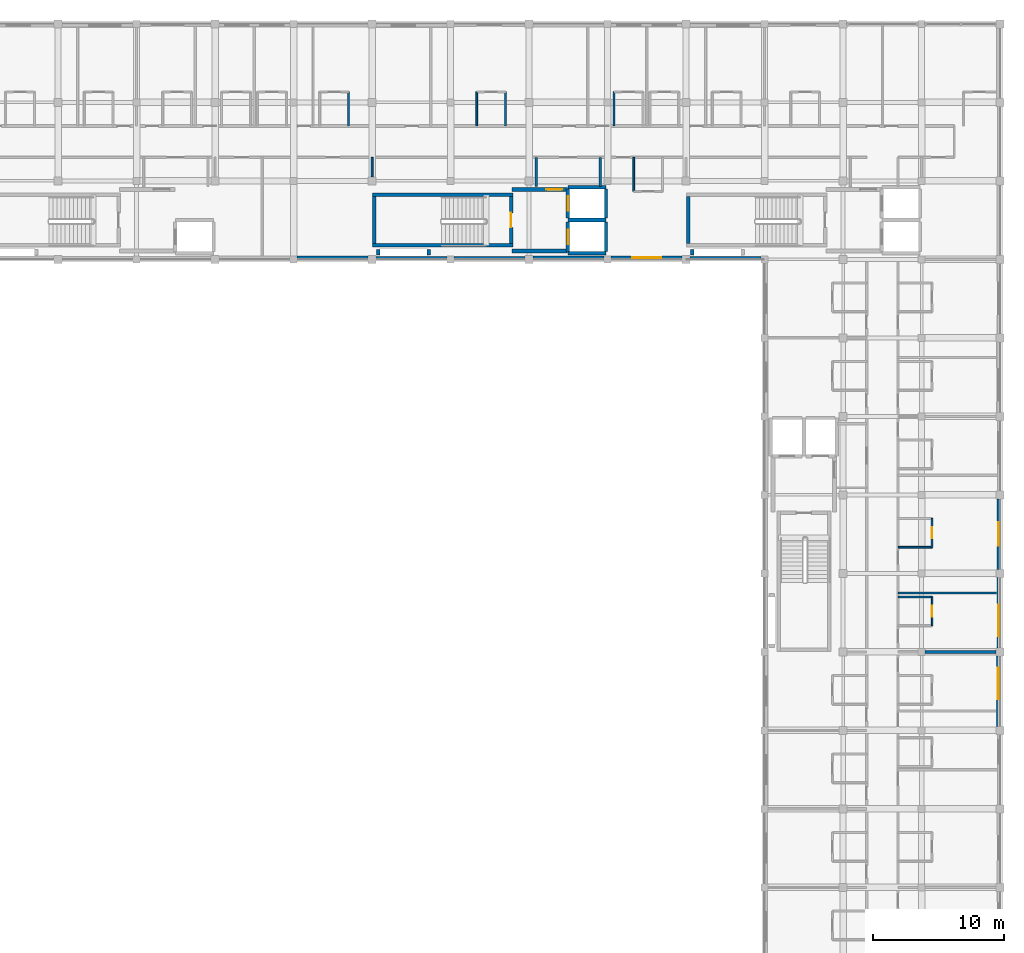
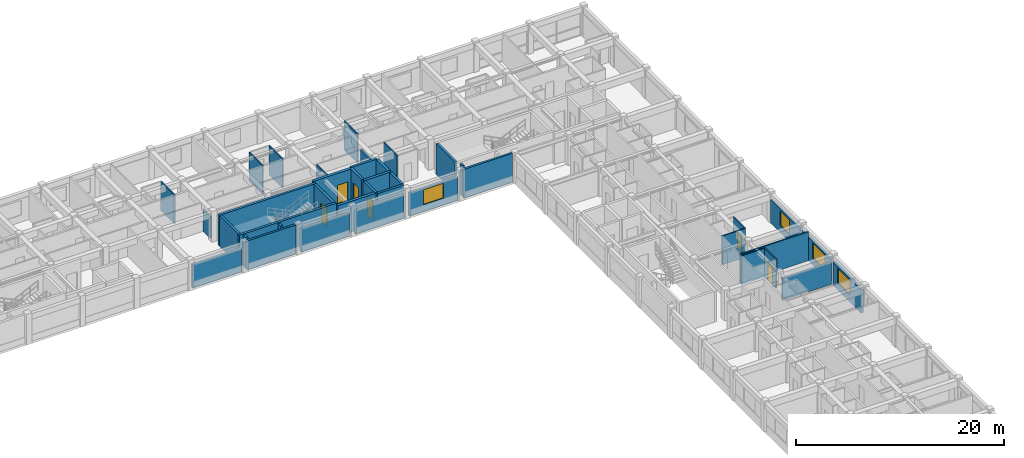
# One storey, part 15 of 25: 40 walls, 6 doors, 4 windows, 10 openings.
"""IFC4 building model written with IfcOpenShell, lengths in metres."""

from ifc_helpers import new_model, si_unit, direction, frame, frame_2d, origin, place, context, subcontext, project, spatial, rectangle, extrude, material, layer, layer_set, type_object, element, fill, save


model = new_model("IFC4")

# Units and contexts
model_context = context("Model", 3, precision=1e-05, world=origin(), true_north=direction((0.0, 1.0)))
body_context = subcontext(model_context, "Body", "Model", "MODEL_VIEW")
ifc_project = project(units=[si_unit("LENGTHUNIT", "METRE"), si_unit("AREAUNIT", "SQUARE_METRE"), si_unit("VOLUMEUNIT", "CUBIC_METRE"), si_unit("PLANEANGLEUNIT", "RADIAN"), si_unit("MASSUNIT", "GRAM", prefix="KILO"), si_unit("THERMODYNAMICTEMPERATUREUNIT", "KELVIN"), si_unit("POWERUNIT", "WATT")], contexts=[model_context])

# Site, building, storey
site_placement = place(None, origin())
site = spatial("IfcSite", under=ifc_project, at=site_placement, CompositionType="ELEMENT")
building_placement = place(site_placement, origin())
building = spatial("IfcBuilding", under=site, at=building_placement, Name="Phaisarnlok Congress Hotel", CompositionType="ELEMENT")
storey_placement = place(building_placement, frame((0.0, 0.0, 24.60009765625)))
storey = spatial("IfcBuildingStorey", under=building, at=storey_placement, Name="L05", CompositionType="ELEMENT", Elevation=24.60009765625)

# Wall
ifc_material_1 = material(Name="Concrete C40/50", Category="concrete")
ifc_layer_1 = layer(ifc_material_1, 0.2099609375, Name="Concrete C40/50")
ifc_layer_set_1 = layer_set([ifc_layer_1], Name="Concrete C40/50")
wall_type_1 = type_object("IfcWallType", Name="WL-EXT-210", PredefinedType="SOLIDWALL", material=ifc_layer_set_1)
wall_1_placement = place(storey_placement, frame((138.280029296875, 108.10498046875, 0.0), z_axis=(0.0, 0.0, 1.0), x_axis=(1.0, 0.0, 0.0)))
element("IfcWall", 1, at=wall_1_placement, inside=storey, type_object=wall_type_1, Name="Exterior wall EW-07 (L05)", PredefinedType="SOLIDWALL", context=body_context, shape_type="SweptSolid", body=[
    extrude(rectangle(XDim=5.4150390625, YDim=0.2099609375, at=frame_2d((2.70751953125, 0.0))), origin(), (0.0, 0.0, 1.0), 2.72998046875),
])

# Wall, opening, window
ifc_layer_2 = layer(ifc_material_1, 0.22998046875, Name="Concrete C40/50")
ifc_layer_set_2 = layer_set([ifc_layer_2], Name="Concrete C40/50")
wall_type_2 = type_object("IfcWallType", Name="WL-EXT-230", PredefinedType="SOLIDWALL", material=ifc_layer_set_2)
wall_2_placement = place(storey_placement, frame((179.885009765625, 84.304931640625, 0.0), z_axis=(0.0, 0.0, 1.0), x_axis=(0.0, 1.0, 0.0)))
wall_2 = element("IfcWall", 2, at=wall_2_placement, inside=storey, type_object=wall_type_2, Name="Exterior wall EW-06 (L05)", PredefinedType="SOLIDWALL", context=body_context, shape_type="SweptSolid", body=[
    extrude(rectangle(XDim=5.39013671875, YDim=0.22998046875, at=frame_2d((2.695068359375, 0.0))), origin(), (0.0, 0.0, 1.0), 2.72998046875),
])
opening_1_placement = place(wall_2_placement, frame((1.794921875, 0.0, 0.800048828125)))
opening_1 = element("IfcOpeningElement", 3, at=opening_1_placement, cuts=wall_2, Name="Opening W-10", PredefinedType="OPENING", context=body_context, shape_type="SweptSolid", body=[
    extrude(rectangle(XDim=1.800048828125, YDim=1.699951171875, at=frame_2d((0.89990234375, 0.85009765625))), frame((0.0, 0.125, 0.0), z_axis=(0.0, -1.0, 0.0), x_axis=(1.0, 0.0, 0.0)), (0.0, 0.0, 1.0), 0.25),
])
ifc_material_2 = material(Name="Thermally Broken Aluminium & Low-E Double Glazing", Category="aluminium")
window_type_1 = type_object("IfcWindowType", Name="WIN-POD-1800", PartitioningType="SINGLE_PANEL", PredefinedType="WINDOW", material=ifc_material_2)
window_1_placement = place(opening_1_placement, origin())
window_1 = element("IfcWindow", 4, at=window_1_placement, inside=storey, type_object=window_type_1, Name="Guestroom window W-10 (L05)", OverallHeight=1.699951171875, OverallWidth=1.800048828125, PartitioningType="SINGLE_PANEL", PredefinedType="WINDOW", context=body_context, shape_type="SweptSolid", body=[
    extrude(rectangle(XDim=1.800048828125, YDim=1.699951171875, at=frame_2d((0.89990234375, 0.85009765625))), frame((0.0, 0.030029296875, 0.0), z_axis=(0.0, -1.0, 0.0), x_axis=(1.0, 0.0, 0.0)), (0.0, 0.0, 1.0), 0.06005859375),
])
fill(opening_1, window_1)

# Walls
for number, where, z_axis, x_axis, name in (
    (5, (132.304931640625, 108.114990234375, 0.0), (0.0, 0.0, 1.0), (1.0, 0.0, 0.0), "Exterior wall EW-06 (L05)"),
    (6, (156.304931640625, 108.114990234375, 0.0), (0.0, 0.0, 1.0), (1.0, 0.0, 0.0), "Exterior wall EW-06 (L05)"),
):
    element("IfcWall", number, at=place(storey_placement, frame(where, z_axis=z_axis, x_axis=x_axis)), inside=storey, type_object=wall_type_2, Name=name, PredefinedType="SOLIDWALL", context=body_context, shape_type="SweptSolid", body=[
        extrude(rectangle(XDim=5.4150390625, YDim=0.22998046875, at=frame_2d((2.70751953125, 0.0))), origin(), (0.0, 0.0, 1.0), 3.3798828125),
    ])

# Wall, opening, window
ifc_layer_3 = layer(ifc_material_1, 0.25, Name="Concrete C40/50")
ifc_layer_set_3 = layer_set([ifc_layer_3], Name="Concrete C40/50")
wall_type_3 = type_object("IfcWallType", Name="WL-EXT-250", PredefinedType="SOLIDWALL", material=ifc_layer_set_3)
wall_3_placement = place(storey_placement, frame((179.875, 78.304931640625, 0.0), z_axis=(0.0, 0.0, 1.0), x_axis=(0.0, 1.0, 0.0)))
wall_3 = element("IfcWall", 7, at=wall_3_placement, inside=storey, type_object=wall_type_3, Name="Exterior wall EW-05 (L05)", PredefinedType="SOLIDWALL", context=body_context, shape_type="SweptSolid", body=[
    extrude(rectangle(XDim=5.39013671875, YDim=0.25, at=frame_2d((2.695068359375, 0.0))), origin(), (0.0, 0.0, 1.0), 2.72998046875),
])
opening_2_placement = place(wall_3_placement, frame((0.906982421875, 0.0, 0.800048828125)))
opening_2 = element("IfcOpeningElement", 8, at=opening_2_placement, cuts=wall_3, Name="Opening W-01", PredefinedType="OPENING", context=body_context, shape_type="SweptSolid", body=[
    extrude(rectangle(XDim=2.39990234375, YDim=1.75, at=frame_2d((1.199951171875, 0.875))), frame((0.0, 0.135009765625, 0.0), z_axis=(0.0, -1.0, 0.0), x_axis=(1.0, 0.0, 0.0)), (0.0, 0.0, 1.0), 0.27001953125),
])
window_type_2 = type_object("IfcWindowType", Name="WIN-HOTEL-2400", PartitioningType="SINGLE_PANEL", PredefinedType="WINDOW", material=ifc_material_2)
window_2_placement = place(opening_2_placement, origin())
window_2 = element("IfcWindow", 9, at=window_2_placement, inside=storey, type_object=window_type_2, Name="Guestroom window W-01 (L05)", OverallHeight=1.75, OverallWidth=2.39990234375, PartitioningType="SINGLE_PANEL", PredefinedType="WINDOW", context=body_context, shape_type="SweptSolid", body=[
    extrude(rectangle(XDim=2.39990234375, YDim=1.75, at=frame_2d((1.199951171875, 0.875))), frame((0.0, 0.030029296875, 0.0), z_axis=(0.0, -1.0, 0.0), x_axis=(1.0, 0.0, 0.0)), (0.0, 0.0, 1.0), 0.06005859375),
])
fill(opening_2, window_2)

# Wall
wall_4_placement = place(storey_placement, frame((126.280029296875, 108.125, 0.0), z_axis=(0.0, 0.0, 1.0), x_axis=(1.0, 0.0, 0.0)))
element("IfcWall", 10, at=wall_4_placement, inside=storey, type_object=wall_type_3, Name="Exterior wall EW-05 (L05)", PredefinedType="SOLIDWALL", context=body_context, shape_type="SweptSolid", body=[
    extrude(rectangle(XDim=5.4150390625, YDim=0.25, at=frame_2d((2.70751953125, 0.0))), origin(), (0.0, 0.0, 1.0), 2.72998046875),
])

# Wall, opening, window
wall_5_placement = place(storey_placement, frame((150.280029296875, 108.125, 0.0), z_axis=(0.0, 0.0, 1.0), x_axis=(1.0, 0.0, 0.0)))
wall_5 = element("IfcWall", 11, at=wall_5_placement, inside=storey, type_object=wall_type_3, Name="Exterior wall EW-05 (L05)", PredefinedType="SOLIDWALL", context=body_context, shape_type="SweptSolid", body=[
    extrude(rectangle(XDim=5.4150390625, YDim=0.25, at=frame_2d((2.70751953125, 0.0))), origin(), (0.0, 0.0, 1.0), 2.72998046875),
])
opening_3_placement = place(wall_5_placement, frame((1.60791015625, 0.0, 0.800048828125)))
opening_3 = element("IfcOpeningElement", 12, at=opening_3_placement, cuts=wall_5, Name="Opening W-02", PredefinedType="OPENING", context=body_context, shape_type="SweptSolid", body=[
    extrude(rectangle(XDim=2.199951171875, YDim=1.75, at=frame_2d((1.10009765625, 0.875))), frame((0.0, 0.135009765625, 0.0), z_axis=(0.0, -1.0, 0.0), x_axis=(1.0, 0.0, 0.0)), (0.0, 0.0, 1.0), 0.27001953125),
])
window_type_3 = type_object("IfcWindowType", Name="WIN-HOTEL-2200", PartitioningType="SINGLE_PANEL", PredefinedType="WINDOW", material=ifc_material_2)
window_3_placement = place(opening_3_placement, origin())
window_3 = element("IfcWindow", 13, at=window_3_placement, inside=storey, type_object=window_type_3, Name="Guestroom window W-02 (L05)", OverallHeight=1.75, OverallWidth=2.199951171875, PartitioningType="SINGLE_PANEL", PredefinedType="WINDOW", context=body_context, shape_type="SweptSolid", body=[
    extrude(rectangle(XDim=2.199951171875, YDim=1.75, at=frame_2d((1.10009765625, 0.875))), frame((0.0, 0.030029296875, 0.0), z_axis=(0.0, -1.0, 0.0), x_axis=(1.0, 0.0, 0.0)), (0.0, 0.0, 1.0), 0.06005859375),
])
fill(opening_3, window_3)

ifc_layer_4 = layer(ifc_material_1, 0.27001953125, Name="Concrete C40/50")
ifc_layer_set_4 = layer_set([ifc_layer_4], Name="Concrete C40/50")
wall_type_4 = type_object("IfcWallType", Name="WL-EXT-270", PredefinedType="SOLIDWALL", material=ifc_layer_set_4)
wall_6_placement = place(storey_placement, frame((179.864990234375, 72.304931640625, 0.0), z_axis=(0.0, 0.0, 1.0), x_axis=(0.0, 1.0, 0.0)))
wall_6 = element("IfcWall", 14, at=wall_6_placement, inside=storey, type_object=wall_type_4, Name="Exterior wall EW-04 (L05)", PredefinedType="SOLIDWALL", context=body_context, shape_type="SweptSolid", body=[
    extrude(rectangle(XDim=5.39013671875, YDim=0.27001953125, at=frame_2d((2.695068359375, 0.0))), origin(), (0.0, 0.0, 1.0), 2.72998046875),
])
opening_4_placement = place(wall_6_placement, frame((2.08203125, 0.0, 0.800048828125)))
opening_4 = element("IfcOpeningElement", 15, at=opening_4_placement, cuts=wall_6, Name="Opening W-01", PredefinedType="OPENING", context=body_context, shape_type="SweptSolid", body=[
    extrude(rectangle(XDim=2.39990234375, YDim=1.75, at=frame_2d((1.199951171875, 0.875))), frame((0.0, 0.14501953125, 0.0), z_axis=(0.0, -1.0, 0.0), x_axis=(1.0, 0.0, 0.0)), (0.0, 0.0, 1.0), 0.2900390625),
])
window_4_placement = place(opening_4_placement, origin())
window_4 = element("IfcWindow", 16, at=window_4_placement, inside=storey, type_object=window_type_2, Name="Guestroom window W-01 (L05)", OverallHeight=1.75, OverallWidth=2.39990234375, PartitioningType="SINGLE_PANEL", PredefinedType="WINDOW", context=body_context, shape_type="SweptSolid", body=[
    extrude(rectangle(XDim=2.39990234375, YDim=1.75, at=frame_2d((1.199951171875, 0.875))), frame((0.0, 0.030029296875, 0.0), z_axis=(0.0, -1.0, 0.0), x_axis=(1.0, 0.0, 0.0)), (0.0, 0.0, 1.0), 0.06005859375),
])
fill(opening_4, window_4)

# Walls
wall_7_placement = place(storey_placement, frame((144.304931640625, 108.135009765625, 0.0), z_axis=(0.0, 0.0, 1.0), x_axis=(1.0, 0.0, 0.0)))
element("IfcWall", 17, at=wall_7_placement, inside=storey, type_object=wall_type_4, Name="Exterior wall EW-04 (L05)", PredefinedType="SOLIDWALL", context=body_context, shape_type="SweptSolid", body=[
    extrude(rectangle(XDim=5.4150390625, YDim=0.27001953125, at=frame_2d((2.70751953125, 0.0))), origin(), (0.0, 0.0, 1.0), 2.72998046875),
])
ifc_material_3 = material(Name="Lightweight Metal-Stud Gypsum Partition", Category="gypsum")
ifc_layer_5 = layer(ifc_material_3, 0.1201171875, Name="Lightweight Metal-Stud Gypsum Partition")
ifc_layer_set_5 = layer_set([ifc_layer_5], Name="Lightweight Metal-Stud Gypsum Partition")
wall_type_5 = type_object("IfcWallType", Name="WL-INT-120", PredefinedType="PARTITIONING", material=ifc_layer_set_5)
for number, where, z_axis, x_axis, name in (
    (18, (140.0, 118.199951171875, 0.0), (0.0, 0.0, 1.0), (0.0, 1.0, 0.0), "Interior partition wall IW-07 (L05)"),
    (19, (152.0, 113.199951171875, 0.0), (0.0, 0.0, 1.0), (0.0, 1.0, 0.0), "Interior partition wall IW-07 (L05)"),
):
    element("IfcWall", number, at=place(storey_placement, frame(where, z_axis=z_axis, x_axis=x_axis)), inside=storey, type_object=wall_type_5, Name=name, PredefinedType="PARTITIONING", context=body_context, shape_type="SweptSolid", body=[
        extrude(rectangle(XDim=2.60009765625, YDim=0.1201171875, at=frame_2d((1.300048828125, 0.0))), origin(), (0.0, 0.0, 1.0), 3.3798828125),
    ])

# Wall, opening, door
wall_8_placement = place(storey_placement, frame((174.800048828125, 80.0, 0.0), z_axis=(0.0, 0.0, 1.0), x_axis=(0.0, 1.0, 0.0)))
wall_8 = element("IfcWall", 20, at=wall_8_placement, inside=storey, type_object=wall_type_5, Name="Interior partition wall IW-07 (L05)", PredefinedType="PARTITIONING", context=body_context, shape_type="SweptSolid", body=[
    extrude(rectangle(XDim=2.199951171875, YDim=0.1201171875, at=frame_2d((1.10009765625, 0.0))), origin(), (0.0, 0.0, 1.0), 3.3798828125),
])
opening_5_placement = place(wall_8_placement, frame((0.675048828125, 0.0, 0.0)))
opening_5 = element("IfcOpeningElement", 21, at=opening_5_placement, cuts=wall_8, Name="Opening D-0199", PredefinedType="OPENING", context=body_context, shape_type="SweptSolid", body=[
    extrude(rectangle(XDim=0.85009765625, YDim=2.10009765625, at=frame_2d((0.425048828125, 1.050048828125))), frame((0.0, 0.070068359375, 0.0), z_axis=(0.0, -1.0, 0.0), x_axis=(1.0, 0.0, 0.0)), (0.0, 0.0, 1.0), 0.14013671875),
])
ifc_material_4 = material(Name="Moisture-Resistant Lacquered Timber", Category="wood")
door_type_1 = type_object("IfcDoorType", Name="DR-BATH-850", OperationType="NOTDEFINED", PredefinedType="DOOR", material=ifc_material_4)
door_1_placement = place(opening_5_placement, origin())
door_1 = element("IfcDoor", 22, at=door_1_placement, inside=storey, type_object=door_type_1, Name="Interior door D-0199 (L05)", OperationType="SINGLE_SWING_LEFT", OverallHeight=2.10009765625, OverallWidth=0.85009765625, PredefinedType="DOOR", context=body_context, shape_type="SweptSolid", body=[
    extrude(rectangle(XDim=0.85009765625, YDim=2.10009765625, at=frame_2d((0.425048828125, 1.050048828125))), frame((0.0, 0.02490234375, 0.0), z_axis=(0.0, -1.0, 0.0), x_axis=(1.0, 0.0, 0.0)), (0.0, 0.0, 1.0), 0.050048828125),
])
fill(opening_5, door_1)

# Walls
ifc_material_5 = material(Name="Moisture-Resistant Gypsum Partition", Category="gypsum")
ifc_layer_6 = layer(ifc_material_5, 0.135009765625, Name="Moisture-Resistant Gypsum Partition")
ifc_layer_set_6 = layer_set([ifc_layer_6], Name="Moisture-Resistant Gypsum Partition")
wall_type_6 = type_object("IfcWallType", Name="WL-INT-135", PredefinedType="PARTITIONING", material=ifc_layer_set_6)
for number, where, z_axis, x_axis, name in (
    (23, (130.199951171875, 118.199951171875, 0.0), (0.0, 0.0, 1.0), (0.0, 1.0, 0.0), "Interior partition wall IW-06 (L05)"),
    (24, (142.199951171875, 118.199951171875, 0.0), (0.0, 0.0, 1.0), (0.0, 1.0, 0.0), "Interior partition wall IW-06 (L05)"),
    (25, (150.5, 118.199951171875, 0.0), (0.0, 0.0, 1.0), (0.0, 1.0, 0.0), "Interior partition wall IW-06 (L05)"),
):
    element("IfcWall", number, at=place(storey_placement, frame(where, z_axis=z_axis, x_axis=x_axis)), inside=storey, type_object=wall_type_6, Name=name, PredefinedType="PARTITIONING", context=body_context, shape_type="SweptSolid", body=[
        extrude(rectangle(XDim=2.60009765625, YDim=0.135009765625, at=frame_2d((1.300048828125, 0.0))), origin(), (0.0, 0.0, 1.0), 3.3798828125),
    ])

# Wall, opening, door
wall_9_placement = place(storey_placement, frame((174.800048828125, 86.0, 0.0), z_axis=(0.0, 0.0, 1.0), x_axis=(0.0, 1.0, 0.0)))
wall_9 = element("IfcWall", 26, at=wall_9_placement, inside=storey, type_object=wall_type_6, Name="Interior partition wall IW-06 (L05)", PredefinedType="PARTITIONING", context=body_context, shape_type="SweptSolid", body=[
    extrude(rectangle(XDim=2.199951171875, YDim=0.135009765625, at=frame_2d((1.10009765625, 0.0))), origin(), (0.0, 0.0, 1.0), 3.3798828125),
])
opening_6_placement = place(wall_9_placement, frame((0.675048828125, 0.0, 0.0)))
opening_6 = element("IfcOpeningElement", 27, at=opening_6_placement, cuts=wall_9, Name="Opening D-0201", PredefinedType="OPENING", context=body_context, shape_type="SweptSolid", body=[
    extrude(rectangle(XDim=0.85009765625, YDim=2.10009765625, at=frame_2d((0.425048828125, 1.050048828125))), frame((0.0, 0.07763671875, 0.0), z_axis=(0.0, -1.0, 0.0), x_axis=(1.0, 0.0, 0.0)), (0.0, 0.0, 1.0), 0.155029296875),
])
door_2_placement = place(opening_6_placement, origin())
door_2 = element("IfcDoor", 28, at=door_2_placement, inside=storey, type_object=door_type_1, Name="Interior door D-0201 (L05)", OperationType="SINGLE_SWING_LEFT", OverallHeight=2.10009765625, OverallWidth=0.85009765625, PredefinedType="DOOR", context=body_context, shape_type="SweptSolid", body=[
    extrude(rectangle(XDim=0.85009765625, YDim=2.10009765625, at=frame_2d((0.425048828125, 1.050048828125))), frame((0.0, 0.02490234375, 0.0), z_axis=(0.0, -1.0, 0.0), x_axis=(1.0, 0.0, 0.0)), (0.0, 0.0, 1.0), 0.050048828125),
])
fill(opening_6, door_2)

# Walls
for number, where, z_axis, x_axis, name in (
    (29, (172.199951171875, 82.199951171875, 0.0), (0.0, 0.0, 1.0), (1.0, 0.0, 0.0), "Interior partition wall IW-06 (L05)"),
    (30, (172.199951171875, 86.0, 0.0), (0.0, 0.0, 1.0), (1.0, 0.0, 0.0), "Interior partition wall IW-06 (L05)"),
):
    element("IfcWall", number, at=place(storey_placement, frame(where, z_axis=z_axis, x_axis=x_axis)), inside=storey, type_object=wall_type_6, Name=name, PredefinedType="PARTITIONING", context=body_context, shape_type="SweptSolid", body=[
        extrude(rectangle(XDim=2.60009765625, YDim=0.135009765625, at=frame_2d((1.300048828125, 0.0))), origin(), (0.0, 0.0, 1.0), 3.3798828125),
    ])
ifc_material_6 = material(Name="Acoustic Gypsum Board & Mineral Wool", Category="gypsum")
ifc_layer_7 = layer(ifc_material_6, 0.14990234375, Name="Acoustic Gypsum Board & Mineral Wool")
ifc_layer_set_7 = layer_set([ifc_layer_7], Name="Acoustic Gypsum Board & Mineral Wool")
wall_type_7 = type_object("IfcWallType", Name="WL-INT-150", PredefinedType="PARTITIONING", material=ifc_layer_set_7)
wall_10_placement = place(storey_placement, frame((132.0, 114.304931640625, 0.0), z_axis=(0.0, 0.0, 1.0), x_axis=(0.0, 1.0, 0.0)))
element("IfcWall", 31, at=wall_10_placement, inside=storey, type_object=wall_type_7, Name="Interior partition wall IW-05 (L05)", PredefinedType="PARTITIONING", context=body_context, shape_type="SweptSolid", body=[
    extrude(rectangle(XDim=1.4951171875, YDim=0.14990234375, at=frame_2d((0.74755859375, 0.0))), origin(), (0.0, 0.0, 1.0), 2.579833984375),
])
ifc_material_7 = material(Name="Double-Stud Acoustic Gypsum Partition", Category="gypsum")
ifc_layer_8 = layer(ifc_material_7, 0.159912109375, Name="Double-Stud Acoustic Gypsum Partition")
ifc_layer_set_8 = layer_set([ifc_layer_8], Name="Double-Stud Acoustic Gypsum Partition")
wall_type_8 = type_object("IfcWallType", Name="WL-INT-160", PredefinedType="PARTITIONING", material=ifc_layer_set_8)
wall_11_placement = place(storey_placement, frame((144.550048828125, 113.56005859375, 0.0), z_axis=(0.0, 0.0, 1.0), x_axis=(0.0, 1.0, 0.0)))
element("IfcWall", 32, at=wall_11_placement, inside=storey, type_object=wall_type_8, Name="Interior partition wall IW-04 (L05)", PredefinedType="PARTITIONING", context=body_context, shape_type="SweptSolid", body=[
    extrude(rectangle(XDim=2.239990234375, YDim=0.159912109375, at=frame_2d((1.1201171875, 0.0))), origin(), (0.0, 0.0, 1.0), 3.3798828125),
])
wall_12_placement = place(storey_placement, frame((172.199951171875, 82.5, 0.0), z_axis=(0.0, 0.0, 1.0), x_axis=(1.0, 0.0, 0.0)))
element("IfcWall", 33, at=wall_12_placement, inside=storey, type_object=wall_type_8, Name="Interior partition wall IW-04 (L05)", PredefinedType="PARTITIONING", context=body_context, shape_type="SweptSolid", body=[
    extrude(rectangle(XDim=7.545166015625, YDim=0.159912109375, at=frame_2d((3.7724609375, 0.0))), origin(), (0.0, 0.0, 1.0), 3.3798828125),
])
ifc_material_8 = material(Name="Autoclaved Aerated Concrete Block", Category="concrete")
ifc_layer_9 = layer(ifc_material_8, 0.199951171875, Name="Autoclaved Aerated Concrete Block")
ifc_layer_set_9 = layer_set([ifc_layer_9], Name="Autoclaved Aerated Concrete Block")
wall_type_9 = type_object("IfcWallType", Name="WL-INT-200", PredefinedType="PARTITIONING", material=ifc_layer_set_9)
wall_13_placement = place(storey_placement, frame((149.449951171875, 113.56005859375, 0.0), z_axis=(0.0, 0.0, 1.0), x_axis=(0.0, 1.0, 0.0)))
element("IfcWall", 34, at=wall_13_placement, inside=storey, type_object=wall_type_9, Name="Interior partition wall IW-02 (L05)", PredefinedType="PARTITIONING", context=body_context, shape_type="SweptSolid", body=[
    extrude(rectangle(XDim=2.239990234375, YDim=0.199951171875, at=frame_2d((1.1201171875, 0.0))), origin(), (0.0, 0.0, 1.0), 3.3798828125),
])
wall_14_placement = place(storey_placement, frame((174.280029296875, 78.0, 0.0), z_axis=(0.0, 0.0, 1.0), x_axis=(1.0, 0.0, 0.0)))
element("IfcWall", 35, at=wall_14_placement, inside=storey, type_object=wall_type_9, Name="Interior partition wall IW-02 (L05)", PredefinedType="PARTITIONING", context=body_context, shape_type="SweptSolid", body=[
    extrude(rectangle(XDim=5.4150390625, YDim=0.199951171875, at=frame_2d((2.70751953125, 0.0))), origin(), (0.0, 0.0, 1.0), 2.579833984375),
])
ifc_material_9 = material(Name="Concrete C50/60", Category="concrete")
ifc_layer_10 = layer(ifc_material_9, 0.260009765625, Name="Concrete C50/60")
ifc_layer_set_10 = layer_set([ifc_layer_10], Name="Concrete C50/60")
wall_type_10 = type_object("IfcWallType", Name="WL-SHR-260", PredefinedType="SHEAR", material=ifc_layer_set_10)
wall_15_placement = place(storey_placement, frame((156.169921875, 109.199951171875, 0.0), z_axis=(0.0, 0.0, 1.0), x_axis=(0.0, 1.0, 0.0)))
element("IfcWall", 36, at=wall_15_placement, inside=storey, type_object=wall_type_10, Name="Stair shaft shear wall SW-04 (CORE-1 L05)", PredefinedType="SHEAR", context=body_context, shape_type="SweptSolid", body=[
    extrude(rectangle(XDim=3.60009765625, YDim=0.260009765625, at=frame_2d((1.800048828125, 0.0))), origin(), (0.0, 0.0, 1.0), 3.599853515625),
])
wall_16_placement = place(storey_placement, frame((156.469970703125, 108.330078125, 0.0), z_axis=(0.0, 0.0, 1.0), x_axis=(0.0, 1.0, 0.0)))
element("IfcWall", 37, at=wall_16_placement, inside=storey, type_object=wall_type_10, Name="Service riser shaft wall SW-04 (CORE-1 L05)", PredefinedType="SHEAR", context=body_context, shape_type="SweptSolid", body=[
    extrude(rectangle(XDim=0.43994140625, YDim=0.260009765625, at=frame_2d((0.219970703125, 0.0))), origin(), (0.0, 0.0, 1.0), 3.599853515625),
])
for number, where, z_axis, x_axis, name in (
    (38, (132.0400390625, 109.070068359375, 0.0), (0.0, 0.0, 1.0), (1.0, 0.0, 0.0), "Stair shaft shear wall SW-04 (CORE-2 L05)"),
    (39, (132.0400390625, 112.929931640625, 0.0), (0.0, 0.0, 1.0), (1.0, 0.0, 0.0), "Stair shaft shear wall SW-04 (CORE-2 L05)"),
):
    element("IfcWall", number, at=place(storey_placement, frame(where, z_axis=z_axis, x_axis=x_axis)), inside=storey, type_object=wall_type_10, Name=name, PredefinedType="SHEAR", context=body_context, shape_type="SweptSolid", body=[
        extrude(rectangle(XDim=10.719970703125, YDim=0.260009765625, at=frame_2d((5.35986328125, 0.0))), origin(), (0.0, 0.0, 1.0), 3.599853515625),
    ])
wall_17_placement = place(storey_placement, frame((132.169921875, 109.199951171875, 0.0), z_axis=(0.0, 0.0, 1.0), x_axis=(0.0, 1.0, 0.0)))
element("IfcWall", 40, at=wall_17_placement, inside=storey, type_object=wall_type_10, Name="Stair shaft shear wall SW-04 (CORE-2 L05)", PredefinedType="SHEAR", context=body_context, shape_type="SweptSolid", body=[
    extrude(rectangle(XDim=3.60009765625, YDim=0.260009765625, at=frame_2d((1.800048828125, 0.0))), origin(), (0.0, 0.0, 1.0), 3.599853515625),
])

# Wall, opening, door
wall_18_placement = place(storey_placement, frame((142.6298828125, 109.199951171875, 0.0), z_axis=(0.0, 0.0, 1.0), x_axis=(0.0, 1.0, 0.0)))
wall_18 = element("IfcWall", 41, at=wall_18_placement, inside=storey, type_object=wall_type_10, Name="Stair shaft shear wall SW-04 (CORE-2 L05)", PredefinedType="SHEAR", context=body_context, shape_type="SweptSolid", body=[
    extrude(rectangle(XDim=3.60009765625, YDim=0.260009765625, at=frame_2d((1.800048828125, 0.0))), origin(), (0.0, 0.0, 1.0), 3.599853515625),
])
opening_7_placement = place(wall_18_placement, frame((1.25, 0.0, 0.0)))
opening_7 = element("IfcOpeningElement", 42, at=opening_7_placement, cuts=wall_18, Name="Opening FD-037", PredefinedType="OPENING", context=body_context, shape_type="SweptSolid", body=[
    extrude(rectangle(XDim=1.10009765625, YDim=2.14990234375, at=frame_2d((0.550048828125, 1.074951171875))), frame((0.0, 0.14013671875, 0.0), z_axis=(0.0, -1.0, 0.0), x_axis=(1.0, 0.0, 0.0)), (0.0, 0.0, 1.0), 0.280029296875),
])
ifc_material_10 = material(Name="Fire-Rated Steel Frame & Timber Leaf", Category="steel")
door_type_2 = type_object("IfcDoorType", Name="DR-FD60-1100", OperationType="NOTDEFINED", PredefinedType="DOOR", material=ifc_material_10)
door_3_placement = place(opening_7_placement, origin())
door_3 = element("IfcDoor", 43, at=door_3_placement, inside=storey, type_object=door_type_2, Name="Stair enclosure fire door FD-037 (L05)", OperationType="SINGLE_SWING_RIGHT", OverallHeight=2.14990234375, OverallWidth=1.10009765625, PredefinedType="DOOR", context=body_context, shape_type="SweptSolid", body=[
    extrude(rectangle(XDim=1.10009765625, YDim=2.14990234375, at=frame_2d((0.550048828125, 1.074951171875))), frame((0.0, 0.02490234375, 0.0), z_axis=(0.0, -1.0, 0.0), x_axis=(1.0, 0.0, 0.0)), (0.0, 0.0, 1.0), 0.050048828125),
])
fill(opening_7, door_3)

# Walls
wall_19_placement = place(storey_placement, frame((146.969970703125, 108.469970703125, 0.0), z_axis=(0.0, 0.0, 1.0), x_axis=(1.0, 0.0, 0.0)))
element("IfcWall", 44, at=wall_19_placement, inside=storey, type_object=wall_type_10, Name="Lift shaft shear wall SW-04 (LF-FF2 L05)", PredefinedType="SHEAR", context=body_context, shape_type="SweptSolid", body=[
    extrude(rectangle(XDim=2.909912109375, YDim=0.260009765625, at=frame_2d((1.455078125, 0.0))), origin(), (0.0, 0.0, 1.0), 3.599853515625),
])
wall_20_placement = place(storey_placement, frame((149.8798828125, 108.60009765625, 0.0), z_axis=(0.0, 0.0, 1.0), x_axis=(0.0, 1.0, 0.0)))
element("IfcWall", 45, at=wall_20_placement, inside=storey, type_object=wall_type_10, Name="Lift shaft shear wall SW-04 (LF-FF2 L05)", PredefinedType="SHEAR", context=body_context, shape_type="SweptSolid", body=[
    extrude(rectangle(XDim=2.25, YDim=0.260009765625, at=frame_2d((1.125, 0.0))), origin(), (0.0, 0.0, 1.0), 3.599853515625),
])

# Wall, opening, door
wall_21_placement = place(storey_placement, frame((146.969970703125, 108.60009765625, 0.0), z_axis=(0.0, 0.0, 1.0), x_axis=(0.0, 1.0, 0.0)))
wall_21 = element("IfcWall", 46, at=wall_21_placement, inside=storey, type_object=wall_type_10, Name="Lift shaft front wall SW-04 (LF-FF2 L05)", PredefinedType="SHEAR", context=body_context, shape_type="SweptSolid", body=[
    extrude(rectangle(XDim=2.25, YDim=0.260009765625, at=frame_2d((1.125, 0.0))), origin(), (0.0, 0.0, 1.0), 3.599853515625),
])
opening_8_placement = place(wall_21_placement, frame((0.574951171875, 0.0, 0.0)))
opening_8 = element("IfcOpeningElement", 47, at=opening_8_placement, cuts=wall_21, Name="Opening LD-037", PredefinedType="OPENING", context=body_context, shape_type="SweptSolid", body=[
    extrude(rectangle(XDim=1.10009765625, YDim=2.199951171875, at=frame_2d((0.550048828125, 1.10009765625))), frame((0.0, 0.14013671875, 0.0), z_axis=(0.0, -1.0, 0.0), x_axis=(1.0, 0.0, 0.0)), (0.0, 0.0, 1.0), 0.280029296875),
])
ifc_material_11 = material(Name="Brushed Stainless Steel Grade 304", Category="steel")
door_type_3 = type_object("IfcDoorType", Name="DR-LD-1100", OperationType="DOUBLE_DOOR_SLIDING", PredefinedType="DOOR", material=ifc_material_11)
door_4_placement = place(opening_8_placement, origin())
door_4 = element("IfcDoor", 48, at=door_4_placement, inside=storey, type_object=door_type_3, Name="Lift landing sliding door LD-037 (LF-FF2 L05)", OperationType="DOUBLE_DOOR_SLIDING", OverallHeight=2.199951171875, OverallWidth=1.10009765625, PredefinedType="DOOR", context=body_context, shape_type="SweptSolid", body=[
    extrude(rectangle(XDim=1.10009765625, YDim=2.199951171875, at=frame_2d((0.550048828125, 1.10009765625))), frame((0.0, 0.02490234375, 0.0), z_axis=(0.0, -1.0, 0.0), x_axis=(1.0, 0.0, 0.0)), (0.0, 0.0, 1.0), 0.050048828125),
])
fill(opening_8, door_4)

# Walls
wall_22_placement = place(storey_placement, frame((146.969970703125, 113.530029296875, 0.0), z_axis=(0.0, 0.0, 1.0), x_axis=(1.0, 0.0, 0.0)))
element("IfcWall", 49, at=wall_22_placement, inside=storey, type_object=wall_type_10, Name="Lift shaft shear wall SW-04 (LF-HP2 L05)", PredefinedType="SHEAR", context=body_context, shape_type="SweptSolid", body=[
    extrude(rectangle(XDim=2.909912109375, YDim=0.260009765625, at=frame_2d((1.455078125, 0.0))), origin(), (0.0, 0.0, 1.0), 3.599853515625),
])
wall_23_placement = place(storey_placement, frame((149.8798828125, 111.14990234375, 0.0), z_axis=(0.0, 0.0, 1.0), x_axis=(0.0, 1.0, 0.0)))
element("IfcWall", 50, at=wall_23_placement, inside=storey, type_object=wall_type_10, Name="Lift shaft shear wall SW-04 (LF-HP2 L05)", PredefinedType="SHEAR", context=body_context, shape_type="SweptSolid", body=[
    extrude(rectangle(XDim=2.25, YDim=0.260009765625, at=frame_2d((1.125, 0.0))), origin(), (0.0, 0.0, 1.0), 3.599853515625),
])

# Wall, opening, door
wall_24_placement = place(storey_placement, frame((146.969970703125, 111.14990234375, 0.0), z_axis=(0.0, 0.0, 1.0), x_axis=(0.0, 1.0, 0.0)))
wall_24 = element("IfcWall", 51, at=wall_24_placement, inside=storey, type_object=wall_type_10, Name="Lift shaft front wall SW-04 (LF-HP2 L05)", PredefinedType="SHEAR", context=body_context, shape_type="SweptSolid", body=[
    extrude(rectangle(XDim=2.25, YDim=0.260009765625, at=frame_2d((1.125, 0.0))), origin(), (0.0, 0.0, 1.0), 3.599853515625),
])
opening_9_placement = place(wall_24_placement, frame((0.574951171875, 0.0, 0.0)))
opening_9 = element("IfcOpeningElement", 52, at=opening_9_placement, cuts=wall_24, Name="Opening LD-052", PredefinedType="OPENING", context=body_context, shape_type="SweptSolid", body=[
    extrude(rectangle(XDim=1.10009765625, YDim=2.199951171875, at=frame_2d((0.550048828125, 1.10009765625))), frame((0.0, 0.14013671875, 0.0), z_axis=(0.0, -1.0, 0.0), x_axis=(1.0, 0.0, 0.0)), (0.0, 0.0, 1.0), 0.280029296875),
])
door_5_placement = place(opening_9_placement, origin())
door_5 = element("IfcDoor", 53, at=door_5_placement, inside=storey, type_object=door_type_3, Name="Lift landing sliding door LD-052 (LF-HP2 L05)", OperationType="DOUBLE_DOOR_SLIDING", OverallHeight=2.199951171875, OverallWidth=1.10009765625, PredefinedType="DOOR", context=body_context, shape_type="SweptSolid", body=[
    extrude(rectangle(XDim=1.10009765625, YDim=2.199951171875, at=frame_2d((0.550048828125, 1.10009765625))), frame((0.0, 0.02490234375, 0.0), z_axis=(0.0, -1.0, 0.0), x_axis=(1.0, 0.0, 0.0)), (0.0, 0.0, 1.0), 0.050048828125),
])
fill(opening_9, door_5)

# Walls
for number, where, z_axis, x_axis, name in (
    (54, (132.469970703125, 108.330078125, 0.0), (0.0, 0.0, 1.0), (0.0, 1.0, 0.0), "Service riser shaft wall SW-04 (CORE-2 L05)"),
    (55, (136.330078125, 108.330078125, 0.0), (0.0, 0.0, 1.0), (0.0, 1.0, 0.0), "Service riser shaft wall SW-04 (CORE-2 L05)"),
):
    element("IfcWall", number, at=place(storey_placement, frame(where, z_axis=z_axis, x_axis=x_axis)), inside=storey, type_object=wall_type_10, Name=name, PredefinedType="SHEAR", context=body_context, shape_type="SweptSolid", body=[
        extrude(rectangle(XDim=0.43994140625, YDim=0.260009765625, at=frame_2d((0.219970703125, 0.0))), origin(), (0.0, 0.0, 1.0), 3.599853515625),
    ])
ifc_layer_11 = layer(ifc_material_9, 0.300048828125, Name="Concrete C50/60")
ifc_layer_set_11 = layer_set([ifc_layer_11], Name="Concrete C50/60")
wall_type_11 = type_object("IfcWallType", Name="WL-SHR-300", PredefinedType="SHEAR", material=ifc_layer_set_11)
wall_25_placement = place(storey_placement, frame((146.969970703125, 111.0, 0.0), z_axis=(0.0, 0.0, 1.0), x_axis=(1.0, 0.0, 0.0)))
element("IfcWall", 56, at=wall_25_placement, inside=storey, type_object=wall_type_11, Name="Lift shaft divider shear wall SW-03 (LF-FF2 L05)", PredefinedType="SHEAR", context=body_context, shape_type="SweptSolid", body=[
    extrude(rectangle(XDim=2.909912109375, YDim=0.300048828125, at=frame_2d((1.455078125, 0.0))), origin(), (0.0, 0.0, 1.0), 3.599853515625),
])

# Wall, opening, door
wall_26_placement = place(storey_placement, frame((142.679931640625, 113.35009765625, 0.0), z_axis=(0.0, 0.0, 1.0), x_axis=(1.0, 0.0, 0.0)))
wall_26 = element("IfcWall", 57, at=wall_26_placement, inside=storey, type_object=wall_type_11, Name="Core lobby EI-120 wall SW-03 (CORE-2 L05)", PredefinedType="SHEAR", context=body_context, shape_type="SweptSolid", body=[
    extrude(rectangle(XDim=4.239990234375, YDim=0.300048828125, at=frame_2d((2.1201171875, 0.0))), origin(), (0.0, 0.0, 1.0), 3.599853515625),
])
opening_10_placement = place(wall_26_placement, frame((2.64990234375, 0.0, 0.0)))
opening_10 = element("IfcOpeningElement", 58, at=opening_10_placement, cuts=wall_26, Name="Opening FD-052", PredefinedType="OPENING", context=body_context, shape_type="SweptSolid", body=[
    extrude(rectangle(XDim=1.199951171875, YDim=2.199951171875, at=frame_2d((0.60009765625, 1.10009765625))), frame((0.0, 0.16015625, 0.0), z_axis=(0.0, -1.0, 0.0), x_axis=(1.0, 0.0, 0.0)), (0.0, 0.0, 1.0), 0.320068359375),
])
door_type_4 = type_object("IfcDoorType", Name="DR-FD60-1200", OperationType="NOTDEFINED", PredefinedType="DOOR", material=ifc_material_10)
door_6_placement = place(opening_10_placement, origin())
door_6 = element("IfcDoor", 59, at=door_6_placement, inside=storey, type_object=door_type_4, Name="Firefighting lobby entrance door FD-052 (CORE-2 L05)", OperationType="SINGLE_SWING_LEFT", OverallHeight=2.199951171875, OverallWidth=1.199951171875, PredefinedType="DOOR", context=body_context, shape_type="SweptSolid", body=[
    extrude(rectangle(XDim=1.199951171875, YDim=2.199951171875, at=frame_2d((0.60009765625, 1.10009765625))), frame((0.0, 0.02490234375, 0.0), z_axis=(0.0, -1.0, 0.0), x_axis=(1.0, 0.0, 0.0)), (0.0, 0.0, 1.0), 0.050048828125),
])
fill(opening_10, door_6)

# Wall
wall_27_placement = place(storey_placement, frame((142.679931640625, 108.64990234375, 0.0), z_axis=(0.0, 0.0, 1.0), x_axis=(1.0, 0.0, 0.0)))
element("IfcWall", 60, at=wall_27_placement, inside=storey, type_object=wall_type_11, Name="Core lobby EI-120 wall SW-03 (CORE-2 L05)", PredefinedType="SHEAR", context=body_context, shape_type="SweptSolid", body=[
    extrude(rectangle(XDim=4.239990234375, YDim=0.300048828125, at=frame_2d((2.1201171875, 0.0))), origin(), (0.0, 0.0, 1.0), 3.599853515625),
])

save(model, "model.ifc")
